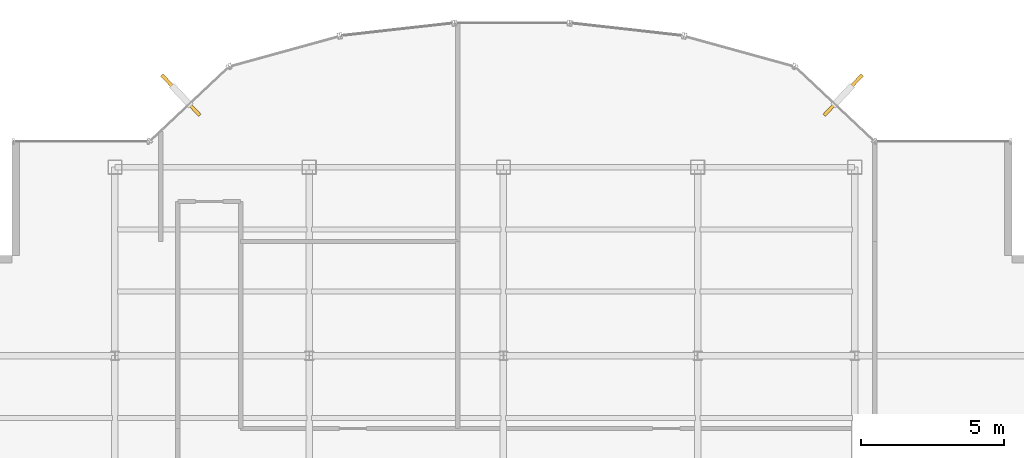
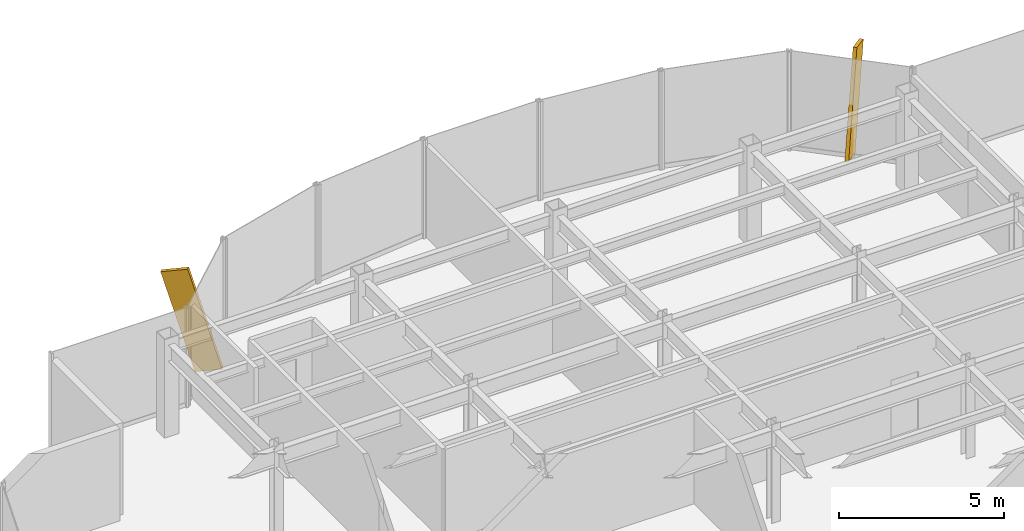
# One storey, part 21 of 22: 2 shading devices.
"""IFC4 building model written with IfcOpenShell, lengths in metres."""

from ifc_helpers import new_model, si_unit, derived_unit, direction, frame, origin, origin_2d, place, context, subcontext, project, spatial, rectangle, extrude, source, transform, mapped, material, type_object, element, save


model = new_model("IFC4")

# Units and contexts
model_context = context("Model", 3, precision=1e-05, world=origin(), true_north=direction((0.0, 1.0)))
body_context = subcontext(model_context, "Body", "Model", "MODEL_VIEW")
ifc_project = project(units=[si_unit("LENGTHUNIT", "METRE"), si_unit("AREAUNIT", "SQUARE_METRE"), si_unit("VOLUMEUNIT", "CUBIC_METRE"), si_unit("PLANEANGLEUNIT", "RADIAN"), si_unit("MASSUNIT", "GRAM", prefix="KILO"), derived_unit("THERMALTRANSMITTANCEUNIT", [(si_unit("POWERUNIT", "WATT"), 1), (si_unit("LENGTHUNIT", "METRE"), -2), (si_unit("THERMODYNAMICTEMPERATUREUNIT", "KELVIN"), -1)])], contexts=[model_context])

# Site, building, storey
site_placement = place(None, origin())
site = spatial("IfcSite", under=ifc_project, at=site_placement, CompositionType="ELEMENT")
building_placement = place(site_placement, origin())
building = spatial("IfcBuilding", under=site, at=building_placement, Name="Skarnbrae Concourse Arena and Tower", CompositionType="ELEMENT")
storey_placement = place(building_placement, frame((0.0, 0.0, 210.5)))
storey = spatial("IfcBuildingStorey", under=building, at=storey_placement, Name="L54", CompositionType="ELEMENT", Elevation=210.5)

# Shading devices
ifc_material = material(Name="Bronze anodised aluminium 6063-T6", Category="aluminium")
shading_device_type = type_object("IfcShadingDeviceType", Name="SHD-BRONZE-FIN-900", PredefinedType="USERDEFINED", material=ifc_material)
shared_shape = source(origin(), body_context, "Body", "SweptSolid", [
    extrude(rectangle(XDim=0.1201171875, YDim=0.89990234375, at=origin_2d()), origin(), (0.0, 0.0, 1.0), 3.64990234375),
])
for number, where, z_axis, x_axis, name in (
    (1, (32.719482421875, 36.522705078125, 0.0830078125), (0.204517004551, 0.217255972062, 0.954448865814), (0.728131751529, -0.685437198009, 0.0), "L54 Outward-leaning bronze shading fin 08"),
    (2, (10.280517578125, 36.522705078125, 0.0830078125), (-0.204517004551, 0.217255972062, 0.954448865814), (0.728131751529, 0.685437198009, 0.0), "L54 Outward-leaning bronze shading fin 14"),
):
    element("IfcShadingDevice", number, at=place(storey_placement, frame(where, z_axis=z_axis, x_axis=x_axis)), inside=storey, type_object=shading_device_type, Name=name, ObjectType="FIN", PredefinedType="USERDEFINED", context=body_context, shape_type="MappedRepresentation", body=[
        mapped(shared_shape, transform((0.0, 0.0, 0.0))),
    ])

save(model, "model.ifc")
